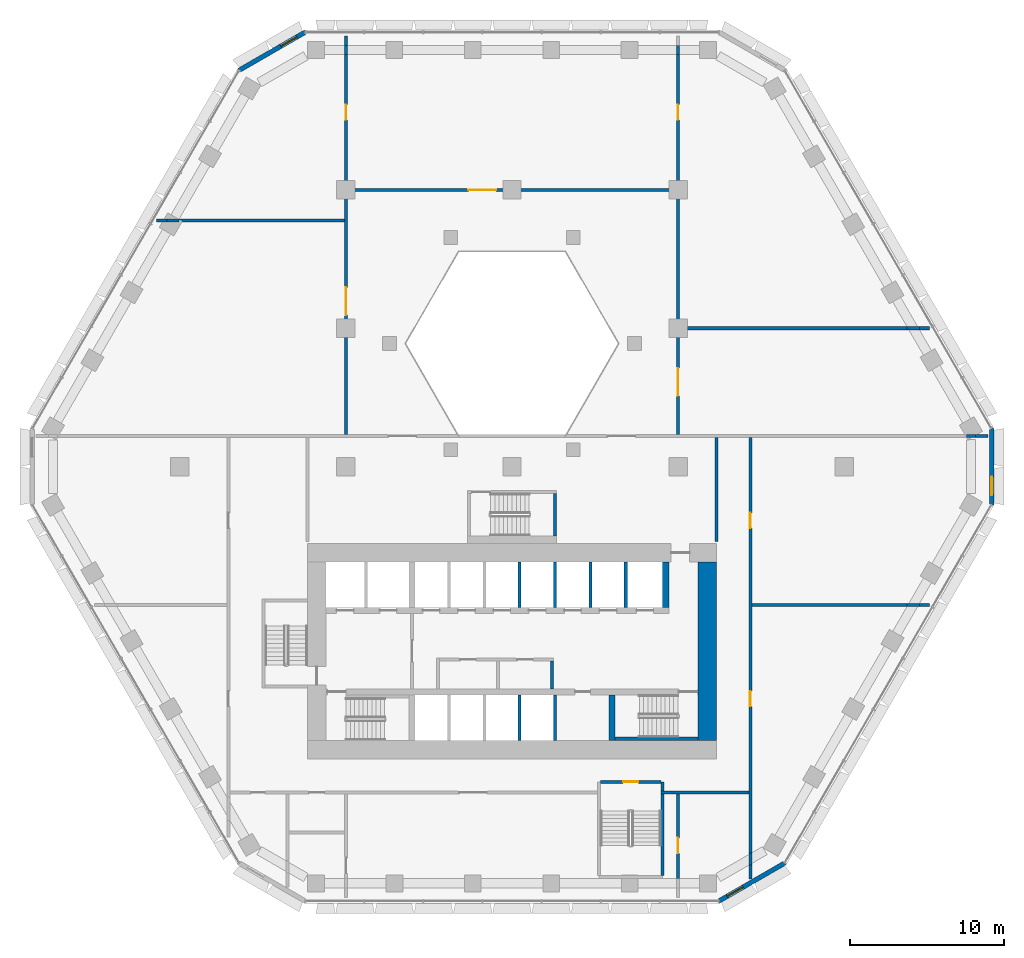
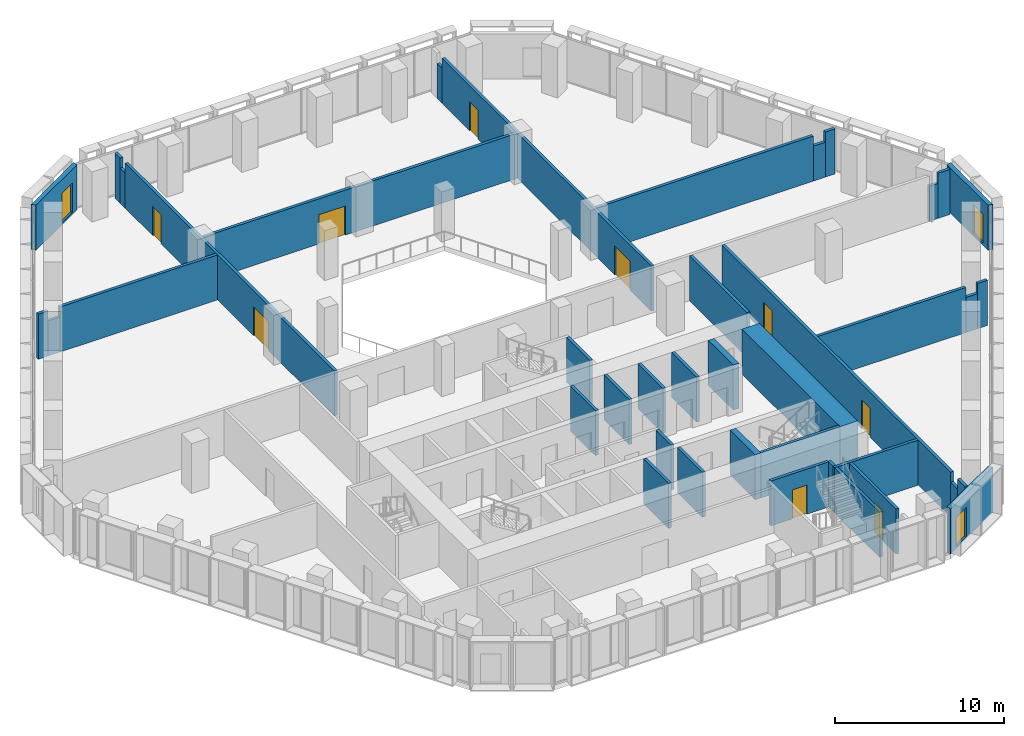
# One storey, part 13 of 22: 40 walls, 9 doors, 3 windows, 12 openings.
"""IFC4 building model written with IfcOpenShell, lengths in metres."""

from ifc_helpers import new_model, si_unit, direction, frame, frame_2d, origin, place, context, subcontext, project, spatial, polyline, rectangle, outline, extrude, material, layer, layer_set, type_object, element, fill, save


model = new_model("IFC4")

# Units and contexts
model_context = context("Model", 3, precision=1e-05, world=origin(), true_north=direction((0.0, 1.0)))
body_context = subcontext(model_context, "Body", "Model", "MODEL_VIEW")
ifc_project = project(units=[si_unit("LENGTHUNIT", "METRE"), si_unit("AREAUNIT", "SQUARE_METRE"), si_unit("VOLUMEUNIT", "CUBIC_METRE"), si_unit("PLANEANGLEUNIT", "RADIAN"), si_unit("MASSUNIT", "GRAM", prefix="KILO")], contexts=[model_context])

# Site, building, storey
site_placement = place(None, origin())
site = spatial("IfcSite", under=ifc_project, at=site_placement, CompositionType="ELEMENT")
building_placement = place(site_placement, origin())
building = spatial("IfcBuilding", under=site, at=building_placement, Name="Beryl Residences", CompositionType="ELEMENT")
storey_placement = place(building_placement, frame((0.0, 0.0, 12.60009765625)))
storey = spatial("IfcBuildingStorey", under=building, at=storey_placement, Name="L03", CompositionType="ELEMENT", Elevation=12.60009765625)

# Wall, opening, window
ifc_material_1 = material(Name="Composite metal panel with mineral wool insulation")
ifc_layer_1 = layer(ifc_material_1, 0.300048828125)
ifc_layer_set_1 = layer_set([ifc_layer_1], Name="ES1 pale metal composite panel wall 300 mm")
wall_type_1 = type_object("IfcWallType", Name="ES1 pale metal composite panel wall 300 mm", PredefinedType="SOLIDWALL", material=ifc_layer_set_1)
wall_1_placement = place(storey_placement, frame((-13.43505859375, 28.27001953125, 0.0), z_axis=(0.0, 0.0, 1.0), x_axis=(-0.866010750942, -0.50002537861, 0.0)))
wall_1 = element("IfcWall", 1, at=wall_1_placement, inside=storey, type_object=wall_type_1, Name="ES1 external wall L03 N-NW", PredefinedType="SOLIDWALL", context=body_context, shape_type="SweptSolid", body=[
    extrude(outline(polyline([(0.0, -0.14990234375), (4.999755859375, -0.14990234375), (4.91943359375, 0.14990234375), (0.080322265625, 0.14990234375), (0.0, -0.14990234375)])), origin(), (0.0, 0.0, 1.0), 3.25),
])
opening_1_placement = place(wall_1_placement, frame((0.64990234375, 0.0, 0.14990234375)))
opening_1 = element("IfcOpeningElement", 2, at=opening_1_placement, cuts=wall_1, Name="Opening W2", PredefinedType="OPENING", context=body_context, shape_type="SweptSolid", body=[
    extrude(rectangle(XDim=1.199951171875, YDim=2.10009765625, at=frame_2d((0.60009765625, 1.050048828125))), frame((0.0, 0.159912109375, 0.0), z_axis=(0.0, -1.0, 0.0), x_axis=(1.0, 0.0, 0.0)), (0.0, 0.0, 1.0), 0.320068359375),
])
ifc_material_2 = material(Name="Aluminium and clear glass", Category="aluminium")
window_type = type_object("IfcWindowType", Name="W2 chamfer window 1200 x 2100 mm", PartitioningType="SINGLE_PANEL", PredefinedType="WINDOW", material=ifc_material_2)
window_1_placement = place(opening_1_placement, origin())
window_1 = element("IfcWindow", 3, at=window_1_placement, inside=storey, type_object=window_type, Name="W2 window L03 N-NW 1", OverallHeight=2.10009765625, OverallWidth=1.199951171875, PartitioningType="SINGLE_PANEL", PredefinedType="WINDOW", context=body_context, shape_type="SweptSolid", body=[
    extrude(rectangle(XDim=1.199951171875, YDim=2.10009765625, at=frame_2d((0.60009765625, 1.050048828125))), frame((0.0, 0.030029296875, 0.0), z_axis=(0.0, -1.0, 0.0), x_axis=(1.0, 0.0, 0.0)), (0.0, 0.0, 1.0), 0.06005859375),
])
fill(opening_1, window_1)

wall_2_placement = place(storey_placement, frame((13.43505859375, -28.27001953125, 0.0), z_axis=(0.0, 0.0, 1.0), x_axis=(0.866010750942, 0.50002537861, 0.0)))
wall_2 = element("IfcWall", 4, at=wall_2_placement, inside=storey, type_object=wall_type_1, Name="ES1 external wall L03 S-SE", PredefinedType="SOLIDWALL", context=body_context, shape_type="SweptSolid", body=[
    extrude(outline(polyline([(0.0, -0.14990234375), (4.999755859375, -0.14990234375), (4.91943359375, 0.14990234375), (0.080322265625, 0.14990234375), (0.0, -0.14990234375)])), origin(), (0.0, 0.0, 1.0), 3.25),
])
opening_2_placement = place(wall_2_placement, frame((0.64990234375, 0.0, 0.14990234375)))
opening_2 = element("IfcOpeningElement", 5, at=opening_2_placement, cuts=wall_2, Name="Opening W2", PredefinedType="OPENING", context=body_context, shape_type="SweptSolid", body=[
    extrude(rectangle(XDim=1.199951171875, YDim=2.10009765625, at=frame_2d((0.60009765625, 1.050048828125))), frame((0.0, 0.159912109375, 0.0), z_axis=(0.0, -1.0, 0.0), x_axis=(1.0, 0.0, 0.0)), (0.0, 0.0, 1.0), 0.320068359375),
])
window_2_placement = place(opening_2_placement, origin())
window_2 = element("IfcWindow", 6, at=window_2_placement, inside=storey, type_object=window_type, Name="W2 window L03 S-SE 1", OverallHeight=2.10009765625, OverallWidth=1.199951171875, PartitioningType="SINGLE_PANEL", PredefinedType="WINDOW", context=body_context, shape_type="SweptSolid", body=[
    extrude(rectangle(XDim=1.199951171875, YDim=2.10009765625, at=frame_2d((0.60009765625, 1.050048828125))), frame((0.0, 0.030029296875, 0.0), z_axis=(0.0, -1.0, 0.0), x_axis=(1.0, 0.0, 0.0)), (0.0, 0.0, 1.0), 0.06005859375),
])
fill(opening_2, window_2)

wall_3_placement = place(storey_placement, frame((31.199951171875, -2.5, 0.0), z_axis=(0.0, 0.0, 1.0), x_axis=(0.0, 1.0, 0.0)))
wall_3 = element("IfcWall", 7, at=wall_3_placement, inside=storey, type_object=wall_type_1, Name="ES1 external wall L03 SE-NE", PredefinedType="SOLIDWALL", context=body_context, shape_type="SweptSolid", body=[
    extrude(outline(polyline([(0.0, -0.14990234375), (5.0, -0.14990234375), (4.919677734375, 0.14990234375), (0.080322265625, 0.14990234375), (0.0, -0.14990234375)])), origin(), (0.0, 0.0, 1.0), 3.25),
])
opening_3_placement = place(wall_3_placement, frame((0.64990234375, 0.0, 0.14990234375)))
opening_3 = element("IfcOpeningElement", 8, at=opening_3_placement, cuts=wall_3, Name="Opening W2", PredefinedType="OPENING", context=body_context, shape_type="SweptSolid", body=[
    extrude(rectangle(XDim=1.199951171875, YDim=2.10009765625, at=frame_2d((0.60009765625, 1.050048828125))), frame((0.0, 0.159912109375, 0.0), z_axis=(0.0, -1.0, 0.0), x_axis=(1.0, 0.0, 0.0)), (0.0, 0.0, 1.0), 0.320068359375),
])
window_3_placement = place(opening_3_placement, origin())
window_3 = element("IfcWindow", 9, at=window_3_placement, inside=storey, type_object=window_type, Name="W2 window L03 SE-NE 1", OverallHeight=2.10009765625, OverallWidth=1.199951171875, PartitioningType="SINGLE_PANEL", PredefinedType="WINDOW", context=body_context, shape_type="SweptSolid", body=[
    extrude(rectangle(XDim=1.199951171875, YDim=2.10009765625, at=frame_2d((0.60009765625, 1.050048828125))), frame((0.0, 0.030029296875, 0.0), z_axis=(0.0, -1.0, 0.0), x_axis=(1.0, 0.0, 0.0)), (0.0, 0.0, 1.0), 0.06005859375),
])
fill(opening_3, window_3)

# Walls
ifc_material_3 = material(Name="Concrete masonry", Category="masonry")
ifc_layer_2 = layer(ifc_material_3, 0.199951171875)
ifc_layer_set_2 = layer_set([ifc_layer_2], Name="PT13 lobby wall 200 mm")
wall_type_2 = type_object("IfcWallType", Name="PT13 lobby wall 200 mm", PredefinedType="PARTITIONING", material=ifc_layer_set_2)
wall_4_placement = place(storey_placement, frame((2.60009765625, -14.449951171875, 0.0), z_axis=(0.0, 0.0, 1.0), x_axis=(0.0, 1.0, 0.0)))
element("IfcWall", 10, at=wall_4_placement, inside=storey, type_object=wall_type_2, Name="Lobby wall 16", PredefinedType="PARTITIONING", context=body_context, shape_type="SweptSolid", body=[
    extrude(rectangle(XDim=1.800048828125, YDim=0.199951171875, at=frame_2d((0.89990234375, 0.0))), origin(), (0.0, 0.0, 1.0), 3.25),
])
ifc_material_4 = material(Name="Double stud gypsum board wall")
ifc_layer_3 = layer(ifc_material_4, 0.199951171875)
ifc_layer_set_3 = layer_set([ifc_layer_3], Name="PT4 corridor wall 200 mm double stud")
wall_type_3 = type_object("IfcWallType", Name="PT4 corridor wall 200 mm double stud", PredefinedType="PARTITIONING", material=ifc_layer_set_3)
wall_5_placement = place(storey_placement, frame((15.60009765625, -9.0, 0.0), z_axis=(0.0, 0.0, 1.0), x_axis=(1.0, 0.0, 0.0)))
element("IfcWall", 11, at=wall_5_placement, inside=storey, type_object=wall_type_3, Name="Wall PT4 L03 005", PredefinedType="PARTITIONING", context=body_context, shape_type="SweptSolid", body=[
    extrude(rectangle(XDim=10.091796875, YDim=0.199951171875, at=frame_2d((5.0458984375, 0.0))), origin(), (0.0, 0.0, 1.0), 3.25),
])
wall_6_placement = place(storey_placement, frame((25.69189453125, -9.0, 0.0), z_axis=(0.0, 0.0, 1.0), x_axis=(1.0, 0.0, 0.0)))
element("IfcWall", 12, at=wall_6_placement, inside=storey, type_object=wall_type_3, Name="Wall PT4 L03 006", PredefinedType="PARTITIONING", context=body_context, shape_type="SweptSolid", body=[
    extrude(rectangle(XDim=0.80908203125, YDim=0.199951171875, at=frame_2d((0.404541015625, 0.0))), origin(), (0.0, 0.0, 1.0), 2.52001953125),
])
wall_7_placement = place(storey_placement, frame((26.5009765625, -9.0, 0.0), z_axis=(0.0, 0.0, 1.0), x_axis=(1.0, 0.0, 0.0)))
element("IfcWall", 13, at=wall_7_placement, inside=storey, type_object=wall_type_3, Name="Wall PT4 L03 007", PredefinedType="PARTITIONING", context=body_context, shape_type="SweptSolid", body=[
    extrude(rectangle(XDim=0.656982421875, YDim=0.199951171875, at=frame_2d((0.32861328125, 0.0))), origin(), (0.0, 0.0, 1.0), 3.25),
])
wall_8_placement = place(storey_placement, frame((29.548095703125, 2.0, 0.0), z_axis=(0.0, 0.0, 1.0), x_axis=(1.0, 0.0, 0.0)))
element("IfcWall", 14, at=wall_8_placement, inside=storey, type_object=wall_type_3, Name="Wall PT4 L03 011", PredefinedType="PARTITIONING", context=body_context, shape_type="SweptSolid", body=[
    extrude(rectangle(XDim=0.599853515625, YDim=0.199951171875, at=frame_2d((0.2998046875, 0.0))), origin(), (0.0, 0.0, 1.0), 2.52001953125),
])
wall_9_placement = place(storey_placement, frame((30.14794921875, 2.0, 0.0), z_axis=(0.0, 0.0, 1.0), x_axis=(1.0, 0.0, 0.0)))
element("IfcWall", 15, at=wall_9_placement, inside=storey, type_object=wall_type_3, Name="Wall PT4 L03 012", PredefinedType="PARTITIONING", context=body_context, shape_type="SweptSolid", body=[
    extrude(rectangle(XDim=0.822021484375, YDim=0.199951171875, at=frame_2d((0.4111328125, 0.0))), origin(), (0.0, 0.0, 1.0), 3.25),
])
wall_10_placement = place(storey_placement, frame((10.89990234375, 9.0, 0.0), z_axis=(0.0, 0.0, 1.0), x_axis=(1.0, 0.0, 0.0)))
element("IfcWall", 16, at=wall_10_placement, inside=storey, type_object=wall_type_3, Name="Wall PT4 L03 013", PredefinedType="PARTITIONING", context=body_context, shape_type="SweptSolid", body=[
    extrude(rectangle(XDim=14.7919921875, YDim=0.199951171875, at=frame_2d((7.39599609375, 0.0))), origin(), (0.0, 0.0, 1.0), 3.25),
])
wall_11_placement = place(storey_placement, frame((25.69189453125, 9.0, 0.0), z_axis=(0.0, 0.0, 1.0), x_axis=(1.0, 0.0, 0.0)))
element("IfcWall", 17, at=wall_11_placement, inside=storey, type_object=wall_type_3, Name="Wall PT4 L03 014", PredefinedType="PARTITIONING", context=body_context, shape_type="SweptSolid", body=[
    extrude(rectangle(XDim=0.80908203125, YDim=0.199951171875, at=frame_2d((0.404541015625, 0.0))), origin(), (0.0, 0.0, 1.0), 2.52001953125),
])
wall_12_placement = place(storey_placement, frame((26.5009765625, 9.0, 0.0), z_axis=(0.0, 0.0, 1.0), x_axis=(1.0, 0.0, 0.0)))
element("IfcWall", 18, at=wall_12_placement, inside=storey, type_object=wall_type_3, Name="Wall PT4 L03 015", PredefinedType="PARTITIONING", context=body_context, shape_type="SweptSolid", body=[
    extrude(rectangle(XDim=0.656982421875, YDim=0.199951171875, at=frame_2d((0.32861328125, 0.0))), origin(), (0.0, 0.0, 1.0), 3.25),
])

# Wall, opening, door
wall_13_placement = place(storey_placement, frame((-10.699951171875, 18.0, 0.0), z_axis=(0.0, 0.0, 1.0), x_axis=(1.0, 0.0, 0.0)))
wall_13 = element("IfcWall", 19, at=wall_13_placement, inside=storey, type_object=wall_type_3, Name="Wall PT4 L03 016", PredefinedType="PARTITIONING", context=body_context, shape_type="SweptSolid", body=[
    extrude(rectangle(XDim=21.39990234375, YDim=0.199951171875, at=frame_2d((10.699951171875, 0.0))), origin(), (0.0, 0.0, 1.0), 3.25),
])
opening_4_placement = place(wall_13_placement, frame((9.670166015625, 0.0, 0.0), z_axis=(0.0, 0.0, 1.0), x_axis=(-1.0, 0.0, 0.0)))
opening_4 = element("IfcOpeningElement", 20, at=opening_4_placement, cuts=wall_13, Name="Opening L03-16", PredefinedType="OPENING", context=body_context, shape_type="SweptSolid", body=[
    extrude(rectangle(XDim=1.800048828125, YDim=2.10009765625, at=frame_2d((0.89990234375, 1.050048828125))), frame((0.0, 0.10986328125, 0.0), z_axis=(0.0, -1.0, 0.0), x_axis=(1.0, 0.0, 0.0)), (0.0, 0.0, 1.0), 0.219970703125),
])
ifc_material_5 = material(Name="Timber door leaf", Category="wood")
door_type_1 = type_object("IfcDoorType", Name="D20 corridor door 1800 x 2100 mm", OperationType="DOUBLE_DOOR_SINGLE_SWING", PredefinedType="DOOR", material=ifc_material_5)
door_1_placement = place(opening_4_placement, origin())
door_1 = element("IfcDoor", 21, at=door_1_placement, inside=storey, type_object=door_type_1, Name="Door L03-16 L03 001", OperationType="DOUBLE_DOOR_SINGLE_SWING", OverallHeight=2.10009765625, OverallWidth=1.800048828125, PredefinedType="DOOR", context=body_context, shape_type="SweptSolid", body=[
    extrude(rectangle(XDim=1.800048828125, YDim=2.10009765625, at=frame_2d((0.89990234375, 1.050048828125))), frame((0.0, 0.02490234375, 0.0), z_axis=(0.0, -1.0, 0.0), x_axis=(1.0, 0.0, 0.0)), (0.0, 0.0, 1.0), 0.050048828125),
])
fill(opening_4, door_1)

# Wall, openings, doors
wall_14_placement = place(storey_placement, frame((10.800048828125, 2.10009765625, 0.0), z_axis=(0.0, 0.0, 1.0), x_axis=(0.0, 1.0, 0.0)))
wall_14 = element("IfcWall", 22, at=wall_14_placement, inside=storey, type_object=wall_type_3, Name="Wall PT4 L03 021", PredefinedType="PARTITIONING", context=body_context, shape_type="SweptSolid", body=[
    extrude(rectangle(XDim=24.699951171875, YDim=0.199951171875, at=frame_2d((12.35009765625, 0.0))), origin(), (0.0, 0.0, 1.0), 3.25),
])
opening_5_placement = place(wall_14_placement, frame((4.302001953125, 0.0, 0.0), z_axis=(0.0, 0.0, 1.0), x_axis=(-1.0, 0.0, 0.0)))
opening_5 = element("IfcOpeningElement", 23, at=opening_5_placement, cuts=wall_14, Name="Opening L03-11", PredefinedType="OPENING", context=body_context, shape_type="SweptSolid", body=[
    extrude(rectangle(XDim=1.800048828125, YDim=2.10009765625, at=frame_2d((0.89990234375, 1.050048828125))), frame((0.0, 0.10986328125, 0.0), z_axis=(0.0, -1.0, 0.0), x_axis=(1.0, 0.0, 0.0)), (0.0, 0.0, 1.0), 0.219970703125),
])
opening_6_placement = place(wall_14_placement, frame((21.449951171875, 0.0, 0.0), z_axis=(0.0, 0.0, 1.0), x_axis=(-1.0, 0.0, 0.0)))
opening_6 = element("IfcOpeningElement", 24, at=opening_6_placement, cuts=wall_14, Name="Opening L03-12", PredefinedType="OPENING", context=body_context, shape_type="SweptSolid", body=[
    extrude(rectangle(XDim=1.0, YDim=2.10009765625, at=frame_2d((0.5, 1.050048828125))), frame((0.0, 0.10986328125, 0.0), z_axis=(0.0, -1.0, 0.0), x_axis=(1.0, 0.0, 0.0)), (0.0, 0.0, 1.0), 0.219970703125),
])
door_2_placement = place(opening_5_placement, origin())
door_2 = element("IfcDoor", 25, at=door_2_placement, inside=storey, type_object=door_type_1, Name="Door L03-11 L03 001", OperationType="DOUBLE_DOOR_SINGLE_SWING", OverallHeight=2.10009765625, OverallWidth=1.800048828125, PredefinedType="DOOR", context=body_context, shape_type="SweptSolid", body=[
    extrude(rectangle(XDim=1.800048828125, YDim=2.10009765625, at=frame_2d((0.89990234375, 1.050048828125))), frame((0.0, 0.02490234375, 0.0), z_axis=(0.0, -1.0, 0.0), x_axis=(1.0, 0.0, 0.0)), (0.0, 0.0, 1.0), 0.050048828125),
])
fill(opening_5, door_2)
ifc_material_6 = material(Name="Timber door leaf", Category="wood")
door_type_2 = type_object("IfcDoorType", Name="D9 corridor door 1000 x 2100 mm", OperationType="SINGLE_SWING_LEFT", PredefinedType="DOOR", material=ifc_material_6)
door_3_placement = place(opening_6_placement, origin())
door_3 = element("IfcDoor", 26, at=door_3_placement, inside=storey, type_object=door_type_2, Name="Door L03-12 L03 001", OperationType="SINGLE_SWING_LEFT", OverallHeight=2.10009765625, OverallWidth=1.0, PredefinedType="DOOR", context=body_context, shape_type="SweptSolid", body=[
    extrude(rectangle(XDim=1.0, YDim=2.10009765625, at=frame_2d((0.5, 1.050048828125))), frame((0.0, 0.02490234375, 0.0), z_axis=(0.0, -1.0, 0.0), x_axis=(1.0, 0.0, 0.0)), (0.0, 0.0, 1.0), 0.050048828125),
])
fill(opening_6, door_3)

# Walls
wall_15_placement = place(storey_placement, frame((10.800048828125, 26.800048828125, 0.0), z_axis=(0.0, 0.0, 1.0), x_axis=(0.0, 1.0, 0.0)))
element("IfcWall", 27, at=wall_15_placement, inside=storey, type_object=wall_type_3, Name="Wall PT4 L03 022", PredefinedType="PARTITIONING", context=body_context, shape_type="SweptSolid", body=[
    extrude(rectangle(XDim=0.599853515625, YDim=0.199951171875, at=frame_2d((0.2998046875, 0.0))), origin(), (0.0, 0.0, 1.0), 2.52001953125),
])
wall_16_placement = place(storey_placement, frame((13.300048828125, -4.8798828125, 0.0), z_axis=(0.0, 0.0, 1.0), x_axis=(0.0, 1.0, 0.0)))
element("IfcWall", 28, at=wall_16_placement, inside=storey, type_object=wall_type_3, Name="Wall PT4 L03 024", PredefinedType="PARTITIONING", context=body_context, shape_type="SweptSolid", body=[
    extrude(rectangle(XDim=6.77978515625, YDim=0.199951171875, at=frame_2d((3.389892578125, 0.0))), origin(), (0.0, 0.0, 1.0), 3.25),
])
ifc_material_7 = material(Name="Concrete C40/50", Category="concrete")
ifc_layer_4 = layer(ifc_material_7, 0.199951171875)
ifc_layer_set_4 = layer_set([ifc_layer_4], Name="PT5 stair enclosure wall 200 mm reinforced concrete C40/50")
wall_type_4 = type_object("IfcWallType", Name="PT5 stair enclosure wall 200 mm reinforced concrete C40/50", PredefinedType="SOLIDWALL", material=ifc_layer_set_4)
wall_17_placement = place(storey_placement, frame((2.800048828125, -4.5, 0.0), z_axis=(0.0, 0.0, 1.0), x_axis=(0.0, 1.0, 0.0)))
element("IfcWall", 29, at=wall_17_placement, inside=storey, type_object=wall_type_4, Name="Wall PT5 L03 003", PredefinedType="SOLIDWALL", context=body_context, shape_type="SweptSolid", body=[
    extrude(rectangle(XDim=2.75, YDim=0.199951171875, at=frame_2d((1.375, 0.0))), origin(), (0.0, 0.0, 1.0), 3.25),
])

# Wall, opening, door
wall_18_placement = place(storey_placement, frame((5.75, -20.5, 0.0), z_axis=(0.0, 0.0, 1.0), x_axis=(1.0, 0.0, 0.0)))
wall_18 = element("IfcWall", 30, at=wall_18_placement, inside=storey, type_object=wall_type_4, Name="Wall PT5 L03 005", PredefinedType="SOLIDWALL", context=body_context, shape_type="SweptSolid", body=[
    extrude(rectangle(XDim=3.949951171875, YDim=0.199951171875, at=frame_2d((1.97509765625, 0.0))), origin(), (0.0, 0.0, 1.0), 3.25),
])
opening_7_placement = place(wall_18_placement, frame((2.47509765625, 0.0, 0.0), z_axis=(0.0, 0.0, 1.0), x_axis=(-1.0, 0.0, 0.0)))
opening_7 = element("IfcOpeningElement", 31, at=opening_7_placement, cuts=wall_18, Name="Opening L03-15", PredefinedType="OPENING", context=body_context, shape_type="SweptSolid", body=[
    extrude(rectangle(XDim=1.0, YDim=2.10009765625, at=frame_2d((0.5, 1.050048828125))), frame((0.0, 0.10986328125, 0.0), z_axis=(0.0, -1.0, 0.0), x_axis=(1.0, 0.0, 0.0)), (0.0, 0.0, 1.0), 0.219970703125),
])
ifc_material_8 = material(Name="Steel door leaf in steel frame", Category="steel")
door_type_3 = type_object("IfcDoorType", Name="D15 stair door 1000 x 2100 mm", OperationType="SINGLE_SWING_LEFT", PredefinedType="DOOR", material=ifc_material_8)
door_4_placement = place(opening_7_placement, origin())
door_4 = element("IfcDoor", 32, at=door_4_placement, inside=storey, type_object=door_type_3, Name="Door L03-15 L03 001", OperationType="SINGLE_SWING_RIGHT", OverallHeight=2.10009765625, OverallWidth=1.0, PredefinedType="DOOR", context=body_context, shape_type="SweptSolid", body=[
    extrude(rectangle(XDim=1.0, YDim=2.10009765625, at=frame_2d((0.5, 1.050048828125))), frame((0.0, 0.02490234375, 0.0), z_axis=(0.0, -1.0, 0.0), x_axis=(1.0, 0.0, 0.0)), (0.0, 0.0, 1.0), 0.050048828125),
])
fill(opening_7, door_4)

# Walls
wall_19_placement = place(storey_placement, frame((9.800048828125, -26.60009765625, 0.0), z_axis=(0.0, 0.0, 1.0), x_axis=(0.0, 1.0, 0.0)))
element("IfcWall", 33, at=wall_19_placement, inside=storey, type_object=wall_type_4, Name="Wall PT5 L03 007", PredefinedType="SOLIDWALL", context=body_context, shape_type="SweptSolid", body=[
    extrude(rectangle(XDim=6.10009765625, YDim=0.199951171875, at=frame_2d((3.050048828125, 0.0))), origin(), (0.0, 0.0, 1.0), 3.25),
])
wall_20_placement = place(storey_placement, frame((6.699951171875, -17.699951171875, 0.0), z_axis=(0.0, 0.0, 1.0), x_axis=(1.0, 0.0, 0.0)))
element("IfcWall", 34, at=wall_20_placement, inside=storey, type_object=wall_type_4, Name="Stair wall 20", PredefinedType="SOLIDWALL", context=body_context, shape_type="SweptSolid", body=[
    extrude(rectangle(XDim=5.400146484375, YDim=0.199951171875, at=frame_2d((2.7001953125, 0.0))), origin(), (0.0, 0.0, 1.0), 3.25),
])
ifc_material_9 = material(Name="Concrete C40/50", Category="concrete")
ifc_layer_5 = layer(ifc_material_9, 0.199951171875)
ifc_layer_set_5 = layer_set([ifc_layer_5], Name="PT6 lift shaft wall 200 mm reinforced concrete C40/50")
wall_type_5 = type_object("IfcWallType", Name="PT6 lift shaft wall 200 mm reinforced concrete C40/50", PredefinedType="SOLIDWALL", material=ifc_layer_set_5)
for number, where, z_axis, x_axis, name in (
    (35, (0.5, -17.800048828125, 0.0), (0.0, 0.0, 1.0), (0.0, 1.0, 0.0), "Lift shaft wall 14"),
    (36, (0.5, -9.14990234375, 0.0), (0.0, 0.0, 1.0), (0.0, 1.0, 0.0), "Lift shaft wall 15"),
    (37, (2.800048828125, -17.800048828125, 0.0), (0.0, 0.0, 1.0), (0.0, 1.0, 0.0), "Lift shaft wall 17"),
    (38, (2.800048828125, -9.14990234375, 0.0), (0.0, 0.0, 1.0), (0.0, 1.0, 0.0), "Lift shaft wall 18"),
    (39, (5.10009765625, -9.14990234375, 0.0), (0.0, 0.0, 1.0), (0.0, 1.0, 0.0), "Lift shaft wall 19"),
    (40, (7.39990234375, -9.14990234375, 0.0), (0.0, 0.0, 1.0), (0.0, 1.0, 0.0), "Lift shaft wall 21"),
):
    element("IfcWall", number, at=place(storey_placement, frame(where, z_axis=z_axis, x_axis=x_axis)), inside=storey, type_object=wall_type_5, Name=name, PredefinedType="SOLIDWALL", context=body_context, shape_type="SweptSolid", body=[
        extrude(rectangle(XDim=2.949951171875, YDim=0.199951171875, at=frame_2d((1.47509765625, 0.0))), origin(), (0.0, 0.0, 1.0), 3.25),
    ])
ifc_material_10 = material(Name="Concrete masonry", Category="masonry")
ifc_layer_6 = layer(ifc_material_10, 0.199951171875)
ifc_layer_set_6 = layer_set([ifc_layer_6], Name="PT8-200 service room wall 200 mm")
wall_type_6 = type_object("IfcWallType", Name="PT8-200 service room wall 200 mm", PredefinedType="PARTITIONING", material=ifc_layer_set_6)
wall_21_placement = place(storey_placement, frame((9.699951171875, -21.199951171875, 0.0), z_axis=(0.0, 0.0, 1.0), x_axis=(1.0, 0.0, 0.0)))
element("IfcWall", 41, at=wall_21_placement, inside=storey, type_object=wall_type_6, Name="Wall PT8-200 L03 002", PredefinedType="PARTITIONING", context=body_context, shape_type="SweptSolid", body=[
    extrude(rectangle(XDim=5.699951171875, YDim=0.199951171875, at=frame_2d((2.85009765625, 0.0))), origin(), (0.0, 0.0, 1.0), 3.25),
])

# Wall, opening, door
wall_22_placement = place(storey_placement, frame((10.800048828125, -26.800048828125, 0.0), z_axis=(0.0, 0.0, 1.0), x_axis=(0.0, 1.0, 0.0)))
wall_22 = element("IfcWall", 42, at=wall_22_placement, inside=storey, type_object=wall_type_6, Name="Wall PT8-200 L03 011", PredefinedType="PARTITIONING", context=body_context, shape_type="SweptSolid", body=[
    extrude(rectangle(XDim=5.5, YDim=0.199951171875, at=frame_2d((2.75, 0.0))), origin(), (0.0, 0.0, 1.0), 3.25),
])
opening_8_placement = place(wall_22_placement, frame((2.64990234375, 0.0, 0.0), z_axis=(0.0, 0.0, 1.0), x_axis=(-1.0, 0.0, 0.0)))
opening_8 = element("IfcOpeningElement", 43, at=opening_8_placement, cuts=wall_22, Name="Opening L03-04", PredefinedType="OPENING", context=body_context, shape_type="SweptSolid", body=[
    extrude(rectangle(XDim=1.0, YDim=2.10009765625, at=frame_2d((0.5, 1.050048828125))), frame((0.0, 0.10986328125, 0.0), z_axis=(0.0, -1.0, 0.0), x_axis=(1.0, 0.0, 0.0)), (0.0, 0.0, 1.0), 0.219970703125),
])
door_5_placement = place(opening_8_placement, origin())
door_5 = element("IfcDoor", 44, at=door_5_placement, inside=storey, type_object=door_type_2, Name="Door L03-04 L03 001", OperationType="SINGLE_SWING_LEFT", OverallHeight=2.10009765625, OverallWidth=1.0, PredefinedType="DOOR", context=body_context, shape_type="SweptSolid", body=[
    extrude(rectangle(XDim=1.0, YDim=2.10009765625, at=frame_2d((0.5, 1.050048828125))), frame((0.0, 0.02490234375, 0.0), z_axis=(0.0, -1.0, 0.0), x_axis=(1.0, 0.0, 0.0)), (0.0, 0.0, 1.0), 0.050048828125),
])
fill(opening_8, door_5)

# Walls
wall_23_placement = place(storey_placement, frame((15.5, -26.81201171875, 0.0), z_axis=(0.0, 0.0, 1.0), x_axis=(0.0, 1.0, 0.0)))
element("IfcWall", 45, at=wall_23_placement, inside=storey, type_object=wall_type_6, Name="Wall PT8-200 L03 012", PredefinedType="PARTITIONING", context=body_context, shape_type="SweptSolid", body=[
    extrude(rectangle(XDim=0.889892578125, YDim=0.199951171875, at=frame_2d((0.44482421875, 0.0))), origin(), (0.0, 0.0, 1.0), 3.25),
])
wall_24_placement = place(storey_placement, frame((15.5, -25.922119140625, 0.0), z_axis=(0.0, 0.0, 1.0), x_axis=(0.0, 1.0, 0.0)))
element("IfcWall", 46, at=wall_24_placement, inside=storey, type_object=wall_type_6, Name="Wall PT8-200 L03 013", PredefinedType="PARTITIONING", context=body_context, shape_type="SweptSolid", body=[
    extrude(rectangle(XDim=0.80810546875, YDim=0.199951171875, at=frame_2d((0.404052734375, 0.0))), origin(), (0.0, 0.0, 1.0), 2.52001953125),
])

# Wall, openings, doors
wall_25_placement = place(storey_placement, frame((15.5, -25.114013671875, 0.0), z_axis=(0.0, 0.0, 1.0), x_axis=(0.0, 1.0, 0.0)))
wall_25 = element("IfcWall", 47, at=wall_25_placement, inside=storey, type_object=wall_type_6, Name="Wall PT8-200 L03 014", PredefinedType="PARTITIONING", context=body_context, shape_type="SweptSolid", body=[
    extrude(rectangle(XDim=27.013916015625, YDim=0.199951171875, at=frame_2d((13.5068359375, 0.0))), origin(), (0.0, 0.0, 1.0), 3.25),
])
opening_9_placement = place(wall_25_placement, frame((10.51611328125, 0.0, 0.0), z_axis=(0.0, 0.0, 1.0), x_axis=(-1.0, 0.0, 0.0)))
opening_9 = element("IfcOpeningElement", 48, at=opening_9_placement, cuts=wall_25, Name="Opening L03-07", PredefinedType="OPENING", context=body_context, shape_type="SweptSolid", body=[
    extrude(rectangle(XDim=1.0, YDim=2.10009765625, at=frame_2d((0.5, 1.050048828125))), frame((0.0, 0.10986328125, 0.0), z_axis=(0.0, -1.0, 0.0), x_axis=(1.0, 0.0, 0.0)), (0.0, 0.0, 1.0), 0.219970703125),
])
opening_10_placement = place(wall_25_placement, frame((22.112060546875, 0.0, 0.0), z_axis=(0.0, 0.0, 1.0), x_axis=(-1.0, 0.0, 0.0)))
opening_10 = element("IfcOpeningElement", 49, at=opening_10_placement, cuts=wall_25, Name="Opening L03-08", PredefinedType="OPENING", context=body_context, shape_type="SweptSolid", body=[
    extrude(rectangle(XDim=1.0, YDim=2.10009765625, at=frame_2d((0.5, 1.050048828125))), frame((0.0, 0.10986328125, 0.0), z_axis=(0.0, -1.0, 0.0), x_axis=(1.0, 0.0, 0.0)), (0.0, 0.0, 1.0), 0.219970703125),
])
door_6_placement = place(opening_9_placement, origin())
door_6 = element("IfcDoor", 50, at=door_6_placement, inside=storey, type_object=door_type_2, Name="Door L03-07 L03 001", OperationType="SINGLE_SWING_RIGHT", OverallHeight=2.10009765625, OverallWidth=1.0, PredefinedType="DOOR", context=body_context, shape_type="SweptSolid", body=[
    extrude(rectangle(XDim=1.0, YDim=2.10009765625, at=frame_2d((0.5, 1.050048828125))), frame((0.0, 0.02490234375, 0.0), z_axis=(0.0, -1.0, 0.0), x_axis=(1.0, 0.0, 0.0)), (0.0, 0.0, 1.0), 0.050048828125),
])
fill(opening_9, door_6)
door_7_placement = place(opening_10_placement, origin())
door_7 = element("IfcDoor", 51, at=door_7_placement, inside=storey, type_object=door_type_2, Name="Door L03-08 L03 001", OperationType="SINGLE_SWING_LEFT", OverallHeight=2.10009765625, OverallWidth=1.0, PredefinedType="DOOR", context=body_context, shape_type="SweptSolid", body=[
    extrude(rectangle(XDim=1.0, YDim=2.10009765625, at=frame_2d((0.5, 1.050048828125))), frame((0.0, 0.02490234375, 0.0), z_axis=(0.0, -1.0, 0.0), x_axis=(1.0, 0.0, 0.0)), (0.0, 0.0, 1.0), 0.050048828125),
])
fill(opening_10, door_7)

# Walls
ifc_material_11 = material(Name="Concrete C40/50", Category="concrete")
ifc_layer_7 = layer(ifc_material_11, 0.199951171875)
ifc_layer_set_7 = layer_set([ifc_layer_7], Name="PT9-200 plant room wall 200 mm")
wall_type_7 = type_object("IfcWallType", Name="PT9-200 plant room wall 200 mm", PredefinedType="SOLIDWALL", material=ifc_layer_set_7)
wall_26_placement = place(storey_placement, frame((-23.116943359375, 16.0, 0.0), z_axis=(0.0, 0.0, 1.0), x_axis=(1.0, 0.0, 0.0)))
element("IfcWall", 52, at=wall_26_placement, inside=storey, type_object=wall_type_7, Name="Wall PT9-200 L03 001", PredefinedType="SOLIDWALL", context=body_context, shape_type="SweptSolid", body=[
    extrude(rectangle(XDim=0.662841796875, YDim=0.199951171875, at=frame_2d((0.33154296875, 0.0))), origin(), (0.0, 0.0, 1.0), 3.25),
])
wall_27_placement = place(storey_placement, frame((-22.4541015625, 16.0, 0.0), z_axis=(0.0, 0.0, 1.0), x_axis=(1.0, 0.0, 0.0)))
element("IfcWall", 53, at=wall_27_placement, inside=storey, type_object=wall_type_7, Name="Wall PT9-200 L03 002", PredefinedType="SOLIDWALL", context=body_context, shape_type="SweptSolid", body=[
    extrude(rectangle(XDim=0.80322265625, YDim=0.199951171875, at=frame_2d((0.401611328125, 0.0))), origin(), (0.0, 0.0, 1.0), 2.52001953125),
])
wall_28_placement = place(storey_placement, frame((-21.65087890625, 16.0, 0.0), z_axis=(0.0, 0.0, 1.0), x_axis=(1.0, 0.0, 0.0)))
element("IfcWall", 54, at=wall_28_placement, inside=storey, type_object=wall_type_7, Name="Wall PT9-200 L03 003", PredefinedType="SOLIDWALL", context=body_context, shape_type="SweptSolid", body=[
    extrude(rectangle(XDim=10.7509765625, YDim=0.199951171875, at=frame_2d((5.37548828125, 0.0))), origin(), (0.0, 0.0, 1.0), 3.25),
])

# Wall, openings, doors
wall_29_placement = place(storey_placement, frame((-10.800048828125, 2.10009765625, 0.0), z_axis=(0.0, 0.0, 1.0), x_axis=(0.0, 1.0, 0.0)))
wall_29 = element("IfcWall", 55, at=wall_29_placement, inside=storey, type_object=wall_type_7, Name="Wall PT9-200 L03 004", PredefinedType="SOLIDWALL", context=body_context, shape_type="SweptSolid", body=[
    extrude(rectangle(XDim=24.699951171875, YDim=0.199951171875, at=frame_2d((12.35009765625, 0.0))), origin(), (0.0, 0.0, 1.0), 3.25),
])
opening_11_placement = place(wall_29_placement, frame((7.758056640625, 0.0, 0.0)))
opening_11 = element("IfcOpeningElement", 56, at=opening_11_placement, cuts=wall_29, Name="Opening L03-09", PredefinedType="OPENING", context=body_context, shape_type="SweptSolid", body=[
    extrude(rectangle(XDim=1.800048828125, YDim=2.10009765625, at=frame_2d((0.89990234375, 1.050048828125))), frame((0.0, 0.10986328125, 0.0), z_axis=(0.0, -1.0, 0.0), x_axis=(1.0, 0.0, 0.0)), (0.0, 0.0, 1.0), 0.219970703125),
])
opening_12_placement = place(wall_29_placement, frame((20.449951171875, 0.0, 0.0)))
opening_12 = element("IfcOpeningElement", 57, at=opening_12_placement, cuts=wall_29, Name="Opening L03-10", PredefinedType="OPENING", context=body_context, shape_type="SweptSolid", body=[
    extrude(rectangle(XDim=1.0, YDim=2.10009765625, at=frame_2d((0.5, 1.050048828125))), frame((0.0, 0.10986328125, 0.0), z_axis=(0.0, -1.0, 0.0), x_axis=(1.0, 0.0, 0.0)), (0.0, 0.0, 1.0), 0.219970703125),
])
door_8_placement = place(opening_11_placement, origin())
door_8 = element("IfcDoor", 58, at=door_8_placement, inside=storey, type_object=door_type_1, Name="Door L03-09 L03 001", OperationType="DOUBLE_DOOR_SINGLE_SWING", OverallHeight=2.10009765625, OverallWidth=1.800048828125, PredefinedType="DOOR", context=body_context, shape_type="SweptSolid", body=[
    extrude(rectangle(XDim=1.800048828125, YDim=2.10009765625, at=frame_2d((0.89990234375, 1.050048828125))), frame((0.0, 0.02490234375, 0.0), z_axis=(0.0, -1.0, 0.0), x_axis=(1.0, 0.0, 0.0)), (0.0, 0.0, 1.0), 0.050048828125),
])
fill(opening_11, door_8)
door_9_placement = place(opening_12_placement, origin())
door_9 = element("IfcDoor", 59, at=door_9_placement, inside=storey, type_object=door_type_2, Name="Door L03-10 L03 001", OperationType="SINGLE_SWING_RIGHT", OverallHeight=2.10009765625, OverallWidth=1.0, PredefinedType="DOOR", context=body_context, shape_type="SweptSolid", body=[
    extrude(rectangle(XDim=1.0, YDim=2.10009765625, at=frame_2d((0.5, 1.050048828125))), frame((0.0, 0.02490234375, 0.0), z_axis=(0.0, -1.0, 0.0), x_axis=(1.0, 0.0, 0.0)), (0.0, 0.0, 1.0), 0.050048828125),
])
fill(opening_12, door_9)

# Walls
wall_30_placement = place(storey_placement, frame((-10.800048828125, 26.800048828125, 0.0), z_axis=(0.0, 0.0, 1.0), x_axis=(0.0, 1.0, 0.0)))
element("IfcWall", 60, at=wall_30_placement, inside=storey, type_object=wall_type_7, Name="Wall PT9-200 L03 005", PredefinedType="SOLIDWALL", context=body_context, shape_type="SweptSolid", body=[
    extrude(rectangle(XDim=0.599853515625, YDim=0.199951171875, at=frame_2d((0.2998046875, 0.0))), origin(), (0.0, 0.0, 1.0), 2.52001953125),
])
wall_31_placement = place(storey_placement, frame((-10.800048828125, 27.39990234375, 0.0), z_axis=(0.0, 0.0, 1.0), x_axis=(0.0, 1.0, 0.0)))
element("IfcWall", 61, at=wall_31_placement, inside=storey, type_object=wall_type_7, Name="Wall PT9-200 L03 006", PredefinedType="SOLIDWALL", context=body_context, shape_type="SweptSolid", body=[
    extrude(rectangle(XDim=0.6201171875, YDim=0.199951171875, at=frame_2d((0.31005859375, 0.0))), origin(), (0.0, 0.0, 1.0), 3.25),
])
ifc_material_12 = material(Name="Concrete C80/95", Category="concrete")
ifc_layer_8 = layer(ifc_material_12, 1.199951171875)
ifc_layer_set_8 = layer_set([ifc_layer_8], Name="SW1 core outer wall 1200 mm C80/95")
wall_type_8 = type_object("IfcWallType", Name="SW1 core outer wall 1200 mm C80/95", PredefinedType="SHEAR", material=ifc_layer_set_8)
wall_32_placement = place(storey_placement, frame((12.699951171875, -17.800048828125, 0.0), z_axis=(0.0, 0.0, 1.0), x_axis=(0.0, 1.0, 0.0)))
element("IfcWall", 62, at=wall_32_placement, inside=storey, type_object=wall_type_8, Name="Core wall E L03", PredefinedType="SHEAR", context=body_context, shape_type="SweptSolid", body=[
    extrude(rectangle(XDim=11.60009765625, YDim=1.199951171875, at=frame_2d((5.800048828125, 0.0))), origin(), (0.0, 0.0, 1.0), 3.25),
])
ifc_material_13 = material(Name="Concrete C80/95", Category="concrete")
ifc_layer_9 = layer(ifc_material_13, 0.39990234375)
ifc_layer_set_9 = layer_set([ifc_layer_9], Name="SW6 core internal wall 400 mm C80/95")
wall_type_9 = type_object("IfcWallType", Name="SW6 core internal wall 400 mm C80/95", PredefinedType="SHEAR", material=ifc_layer_set_9)
for number, where, z_axis, x_axis, name in (
    (63, (6.5, -17.800048828125, 0.0), (0.0, 0.0, 1.0), (0.0, 1.0, 0.0), "Core wall XS2 L03"),
    (64, (10.0, -9.14990234375, 0.0), (0.0, 0.0, 1.0), (0.0, 1.0, 0.0), "Core wall XN2 L03"),
):
    element("IfcWall", number, at=place(storey_placement, frame(where, z_axis=z_axis, x_axis=x_axis)), inside=storey, type_object=wall_type_9, Name=name, PredefinedType="SHEAR", context=body_context, shape_type="SweptSolid", body=[
        extrude(rectangle(XDim=2.949951171875, YDim=0.39990234375, at=frame_2d((1.47509765625, 0.0))), origin(), (0.0, 0.0, 1.0), 3.25),
    ])

save(model, "model.ifc")
